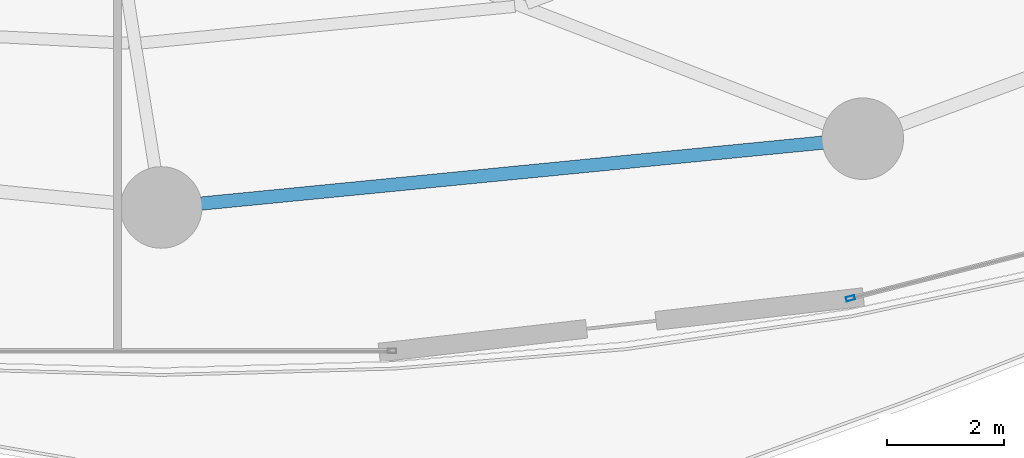
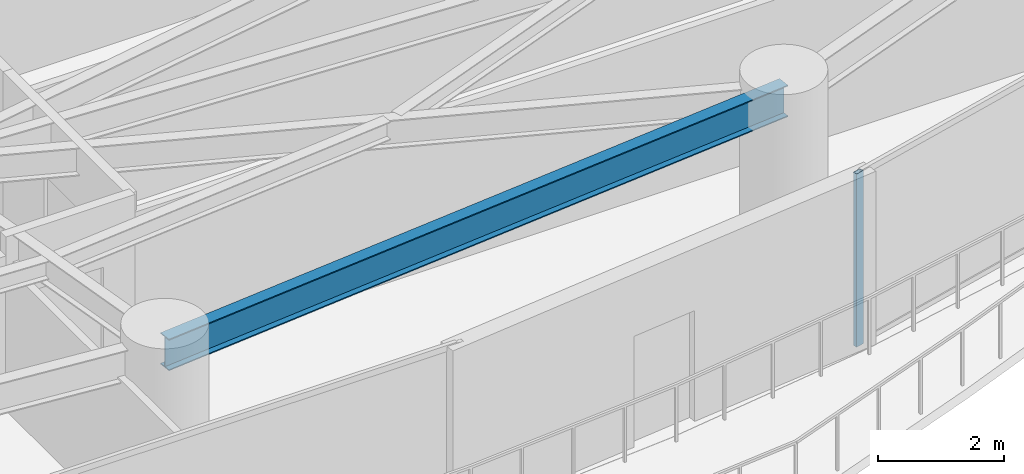
# One storey, part 11 of 33: 1 beam, 1 member, 1 element without a shape of its own.
"""IFC4 building model written with IfcOpenShell, lengths in metres."""

from ifc_helpers import new_model, si_unit, direction, frame, origin, origin_2d, place, context, subcontext, project, spatial, hollow_rectangle, i_section, extrude, material, layer, layer_set, material_profile, profile_set, type_object, element, aggregate, save


model = new_model("IFC4")

# Units and contexts
model_context = context("Model", 3, precision=1e-05, world=origin(), true_north=direction((0.0, 1.0)))
body_context = subcontext(model_context, "Body", "Model", "MODEL_VIEW")
ifc_project = project(units=[si_unit("LENGTHUNIT", "METRE"), si_unit("AREAUNIT", "SQUARE_METRE"), si_unit("VOLUMEUNIT", "CUBIC_METRE"), si_unit("PLANEANGLEUNIT", "RADIAN"), si_unit("MASSUNIT", "GRAM", prefix="KILO")], contexts=[model_context])

# Site, building, storey
site_placement = place(None, origin())
site = spatial("IfcSite", under=ifc_project, at=site_placement, CompositionType="ELEMENT")
building_placement = place(site_placement, origin())
building = spatial("IfcBuilding", under=site, at=building_placement, Name="Kazevale Care Tower and Concert Hall", CompositionType="ELEMENT")
storey_placement = place(building_placement, frame((0.0, 0.0, 49.199951171875)))
storey = spatial("IfcBuildingStorey", under=building, at=storey_placement, Name="L12", CompositionType="ELEMENT", Elevation=49.199951171875)

# Curtain wall, member
ifc_material_1 = material(Name="Aluminium 6063-T6 and Low-E Glass", Category="aluminium")
ifc_layer = layer(ifc_material_1, 0.179931640625)
ifc_layer_set = layer_set([ifc_layer], Name="Aluminium 6063-T6 and Low-E Glass")
curtain_wall_type = type_object("IfcCurtainWallType", Name="Sheltered Concave Balcony Curtain Wall CW-5", PredefinedType="NOTDEFINED", material=ifc_layer_set)
curtain_wall_placement = place(storey_placement, origin())
curtain_wall = element("IfcCurtainWall", 1, at=curtain_wall_placement, inside=storey, type_object=curtain_wall_type, Name="cw:L12:f04", PredefinedType="NOTDEFINED")
ifc_material_2 = material(Name="Aluminium 6063-T6", Category="aluminium")
ifc_material_profile_1 = material_profile(ifc_material_2, hollow_rectangle(XDim=0.074951171875, YDim=0.14990234375, WallThickness=0.00390625, at=origin_2d()), Name="ALU75x150x4")
ifc_profile_set_1 = profile_set([ifc_material_profile_1], Name="Aluminium 6063-T6")
member_type = type_object("IfcMemberType", Name="CW-5 Mullion ALU75x150x4", PredefinedType="MULLION", material=ifc_profile_set_1)
member_placement = place(storey_placement, frame((56.828369140625, 15.791259765625, 0.0), z_axis=(0.0, 0.0, 1.0), x_axis=(0.247221864936, -0.968958899798, 0.0)))
member = element("IfcMember", 2, at=member_placement, type_object=member_type, Name="CW-5 mullion 2", PredefinedType="MULLION", context=body_context, shape_type="SweptSolid", body=[
    extrude(hollow_rectangle(XDim=0.074951171875, YDim=0.14990234375, WallThickness=0.00390625, at=origin_2d()), origin(), (0.0, 0.0, 1.0), 3.360107421875),
])
aggregate(curtain_wall, [member])

# Beam
ifc_material_3 = material(Name="Steel ASTM A572 Gr 50", Category="steel")
ifc_material_profile_2 = material_profile(ifc_material_3, i_section(OverallWidth=0.22900390625, OverallDepth=0.612060546875, WebThickness=0.011962890625, FlangeThickness=0.01953125, at=origin_2d()), Name="W610x125")
ifc_profile_set_2 = profile_set([ifc_material_profile_2], Name="Steel ASTM A572 Gr 50")
beam_type = type_object("IfcBeamType", Name="Ring Spandrel Beam W610x125", PredefinedType="SPANDREL", material=ifc_profile_set_2)
beam_placement = place(storey_placement, frame((45.0, 17.35009765625, 3.053955078125), z_axis=(0.995232251602, 0.09753340644, 0.0), x_axis=(-0.09753340644, 0.995232251602, 0.0)))
element("IfcBeam", 3, at=beam_placement, inside=storey, type_object=beam_type, Name="beam:L12:ring:13", PredefinedType="SPANDREL", context=body_context, shape_type="SweptSolid", body=[
    extrude(i_section(OverallWidth=0.22900390625, OverallDepth=0.612060546875, WebThickness=0.011962890625, FlangeThickness=0.01953125, at=origin_2d()), origin(), (0.0, 0.0, 1.0), 12.09765625),
])

save(model, "model.ifc")
